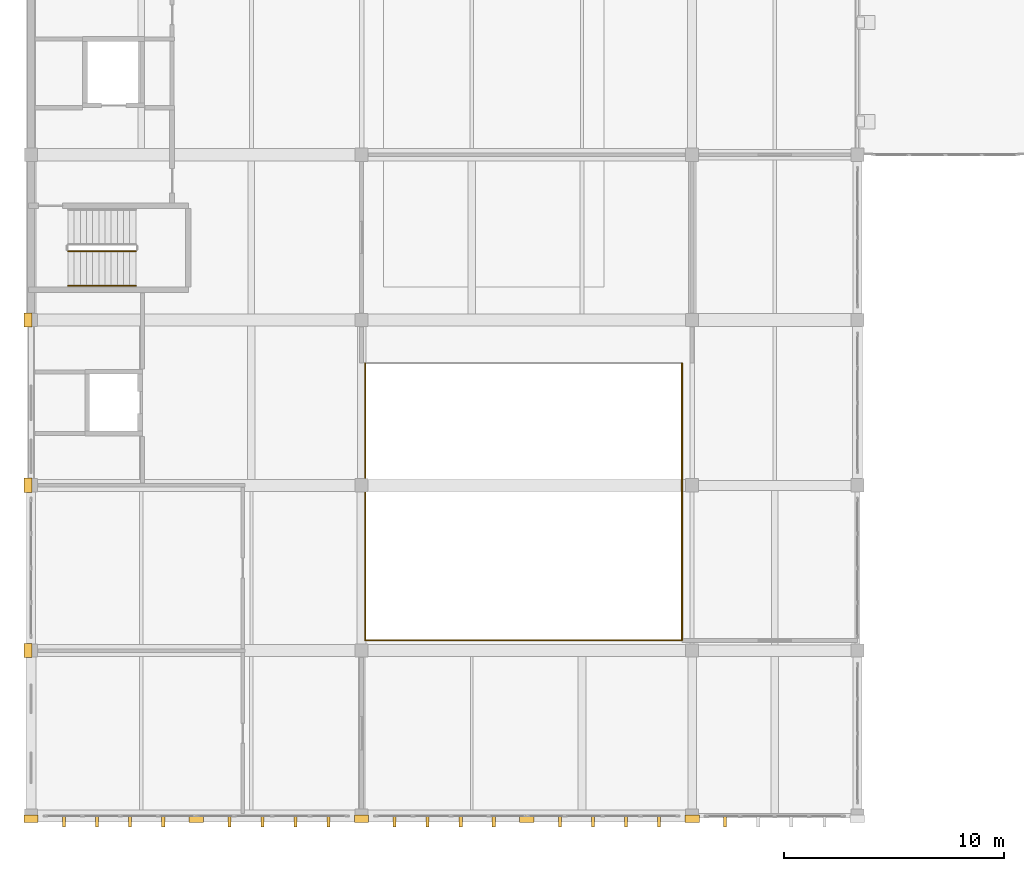
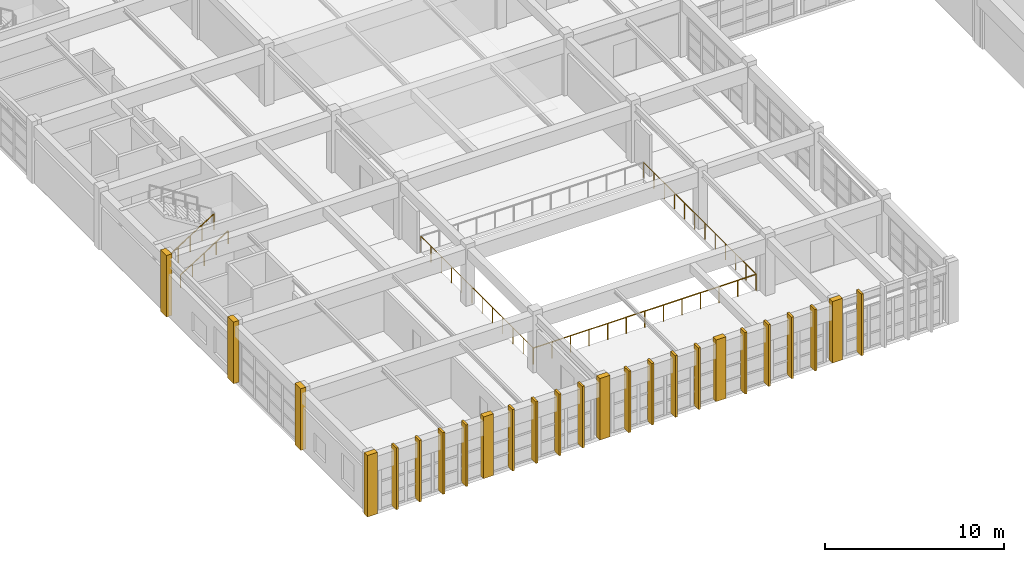
# One storey, part 108 of 124: 25 coverings, 5 railings.
"""IFC4 building model written with IfcOpenShell, lengths in metres."""

import ifcopenshell
import ifcopenshell.guid

model = None  # the IFC model being written
_history = None  # IfcOwnerHistory: only IFC2X3 demands one
_inside = {}  # id of a spatial element -> (the spatial element, [elements in it])
_under = {}  # id of a project, library or spatial element -> (it, [spatial elements below it])
_declared = {}  # id of a project -> (the project, [libraries it declares])
_typed = {}  # id of a type object -> (the type object, [elements of that type])
_made_of = {}  # id of a material, layer set ... -> (it, [elements and type objects made of it])


def new_model(schema):
    """Start an empty IFC model of exactly this schema.

    Asked for "IFC4X3", IfcOpenShell would pick the latest addendum, in which some entities
    have other attributes; the version numbers below select the first issue.
    IFC2X3 requires an IfcOwnerHistory on every rooted entity: one is made here for all.
    """
    global model, _history
    if schema == "IFC4X3":
        model = ifcopenshell.file(schema_version=(4, 3, 0, 0))
    else:
        model = ifcopenshell.file(schema=schema)
    _inside.clear()
    _under.clear()
    _declared.clear()
    _typed.clear()
    _made_of.clear()
    _history = None
    if model.schema == "IFC2X3":
        org = make("IfcOrganization", Name="unknown")
        user = make(
            "IfcPersonAndOrganization",
            ThePerson=make("IfcPerson", FamilyName="unknown"),
            TheOrganization=org,
        )
        app = make(
            "IfcApplication",
            ApplicationDeveloper=org,
            Version="unknown",
            ApplicationFullName="unknown",
            ApplicationIdentifier="unknown",
        )
        _history = make(
            "IfcOwnerHistory",
            OwningUser=user,
            OwningApplication=app,
            ChangeAction="ADDED",
            CreationDate=0,
        )
    return model


def make(cls, **values):
    """One entity of the class cls with the attributes given. An attribute that is None is left unset."""
    return model.create_entity(
        cls, **{name: value for name, value in values.items() if value is not None}
    )


def rooted(cls, **values):
    """An entity with a GlobalId (a new one), such as an element, a storey or a relation."""
    return make(cls, GlobalId=ifcopenshell.guid.new(), OwnerHistory=_history, **values)


def si_unit(unit_type, name, prefix=None):
    """IfcSIUnit, for example si_unit("LENGTHUNIT", "METRE", prefix="MILLI")."""
    return make("IfcSIUnit", UnitType=unit_type, Prefix=prefix, Name=name)


def assignment(units):
    """IfcUnitAssignment: the units of a project."""
    return None if units is None else make("IfcUnitAssignment", Units=units)


def point(xyz):
    """IfcCartesianPoint."""
    return None if xyz is None else make("IfcCartesianPoint", Coordinates=xyz)


def direction(xyz):
    """IfcDirection."""
    return None if xyz is None else make("IfcDirection", DirectionRatios=xyz)


def frame(location, z_axis=None, x_axis=None):
    """IfcAxis2Placement3D, a coordinate frame: its origin and axes. An axis left out is left unset."""
    return make(
        "IfcAxis2Placement3D",
        Location=point(location),
        Axis=direction(z_axis),
        RefDirection=direction(x_axis),
    )


def frame_2d(location, x_axis=None):
    """IfcAxis2Placement2D, a coordinate frame in the plane: its origin and x axis."""
    return make(
        "IfcAxis2Placement2D", Location=point(location), RefDirection=direction(x_axis)
    )


def origin():
    """The frame at (0, 0, 0) with its axes left unset."""
    return frame((0.0, 0.0, 0.0))


def origin_2d():
    """The frame at (0, 0) in the plane with its x axis left unset."""
    return frame_2d((0.0, 0.0))


def place(relative_to, where):
    """IfcLocalPlacement: puts the frame where relative to a parent placement (None: the world)."""
    return make(
        "IfcLocalPlacement", PlacementRelTo=relative_to, RelativePlacement=where
    )


def context(
    kind, dimensions, precision=None, world=None, true_north=None, identifier=None
):
    """IfcGeometricRepresentationContext, for example the 3D "Model" context."""
    return make(
        "IfcGeometricRepresentationContext",
        ContextIdentifier=identifier,
        ContextType=kind,
        CoordinateSpaceDimension=dimensions,
        Precision=precision,
        WorldCoordinateSystem=world,
        TrueNorth=true_north,
    )


def subcontext(parent, identifier, kind, view, scale=None):
    """IfcGeometricRepresentationSubContext, for example "Body" below "Model"."""
    return make(
        "IfcGeometricRepresentationSubContext",
        ContextIdentifier=identifier,
        ContextType=kind,
        ParentContext=parent,
        TargetScale=scale,
        TargetView=view,
    )


def project(units=None, contexts=None):
    """IfcProject with its units and contexts."""
    return rooted(
        "IfcProject",
        Name="project",
        RepresentationContexts=contexts,
        UnitsInContext=assignment(units),
    )


def spatial(cls, under=None, at=None, **own):
    """A site, building, storey or space (cls), placed at a placement, below another one or the project."""
    s = rooted(cls, ObjectPlacement=at, **own)
    if under is not None:
        _under.setdefault(under.id(), (under, []))[1].append(s)
    return s


def profile(cls, at=None, kind="AREA", **sizes):
    """A parametric profile (cls). Its sizes go by their IFC names, for example OverallWidth=200.0."""
    return make(cls, ProfileType=kind, Position=at, **sizes)


def rectangle(**sizes):
    """IfcRectangleProfileDef."""
    return profile("IfcRectangleProfileDef", **sizes)


def circle(**sizes):
    """IfcCircleProfileDef."""
    return profile("IfcCircleProfileDef", **sizes)


def extrude(swept, where, along, depth):
    """IfcExtrudedAreaSolid: the profile swept, set in the frame where, extruded along a direction by depth."""
    return make(
        "IfcExtrudedAreaSolid",
        SweptArea=swept,
        Position=where,
        ExtrudedDirection=direction(along),
        Depth=depth,
    )


def shape(context_of_items, identifier, shape_type, items):
    """IfcShapeRepresentation: the items that make up one representation, for example the "Body"."""
    return make(
        "IfcShapeRepresentation",
        ContextOfItems=context_of_items,
        RepresentationIdentifier=identifier,
        RepresentationType=shape_type,
        Items=items,
    )


def material(Name=None, Category=None):
    """IfcMaterial."""
    return make("IfcMaterial", Name=Name, Category=Category)


def layer(
    of_material, thickness, ventilated=None, Name=None, Category=None, Priority=None
):
    """IfcMaterialLayer: one layer of a wall or slab, of a material (None: an air gap)."""
    return make(
        "IfcMaterialLayer",
        Material=of_material,
        LayerThickness=thickness,
        IsVentilated=ventilated,
        Name=Name,
        Category=Category,
        Priority=Priority,
    )


def layer_set(layers, Name=None):
    """IfcMaterialLayerSet."""
    return make("IfcMaterialLayerSet", MaterialLayers=layers, LayerSetName=Name)


def made_of(thing, what):
    """Note that an element or type object is made of a material, layer set ...; save() writes the relation."""
    if what is not None:
        _made_of.setdefault(what.id(), (what, []))[1].append(thing)
    return thing


def type_object(cls, material=None, **own):
    """A type object (cls), such as IfcWallType, which elements share."""
    return made_of(rooted(cls, **own), material)


def element(
    cls,
    number,
    at=None,
    inside=None,
    cuts=None,
    type_object=None,
    material=None,
    context=None,
    identifier="Body",
    shape_type=None,
    held_by="IfcProductDefinitionShape",
    body=None,
    shapes=None,
    **own,
):
    """One element of the class cls, such as IfcWall. Its Tag is "e" and its number.

    at: its placement. inside: the storey or other place that contains it. cuts: it is an
    opening in that element (IfcRelVoidsElement). A single representation is given by context,
    identifier, shape_type and body (its items); several are given by shapes. held_by: the class
    of the entity that holds the representations. save() writes the other relations.
    """
    e = rooted(cls, Tag="e%d" % number, ObjectPlacement=at, **own)
    if body is not None:
        shapes = [shape(context, identifier, shape_type, body)]
    if shapes is not None:
        e.Representation = make(held_by, Representations=shapes)
    if inside is not None:
        _inside.setdefault(inside.id(), (inside, []))[1].append(e)
    if cuts is not None:
        rooted(
            "IfcRelVoidsElement", RelatingBuildingElement=cuts, RelatedOpeningElement=e
        )
    if type_object is not None:
        _typed.setdefault(type_object.id(), (type_object, []))[1].append(e)
    return made_of(e, material)


def aggregate(whole, parts):
    """IfcRelAggregates: a whole, such as a stair, and the parts it consists of."""
    return rooted("IfcRelAggregates", RelatingObject=whole, RelatedObjects=parts)


def save(model, path):
    """Write the relations noted so far, then the file.

    IfcRelAggregates (storeys below a building ...), IfcRelContainedInSpatialStructure (elements
    in a storey), IfcRelDefinesByType, IfcRelAssociatesMaterial and IfcRelDeclares: one each for
    every whole, place, type object, material and project.
    """
    for whole, parts in _under.values():
        aggregate(whole, parts)
    for where, things in _inside.values():
        rooted(
            "IfcRelContainedInSpatialStructure",
            RelatedElements=things,
            RelatingStructure=where,
        )
    for kind, things in _typed.values():
        rooted("IfcRelDefinesByType", RelatedObjects=things, RelatingType=kind)
    for what, things in _made_of.values():
        rooted("IfcRelAssociatesMaterial", RelatedObjects=things, RelatingMaterial=what)
    for by, libraries in _declared.values():
        rooted("IfcRelDeclares", RelatingContext=by, RelatedDefinitions=libraries)
    model.write(path)


model = new_model("IFC4")

# Units and contexts
model_context = context("Model", 3, precision=1e-05, world=origin(), true_north=direction((0.0, 1.0)))
body_context = subcontext(model_context, "Body", "Model", "MODEL_VIEW")
ifc_project = project(units=[si_unit("LENGTHUNIT", "METRE"), si_unit("AREAUNIT", "SQUARE_METRE"), si_unit("VOLUMEUNIT", "CUBIC_METRE"), si_unit("PLANEANGLEUNIT", "RADIAN"), si_unit("MASSUNIT", "GRAM", prefix="KILO")], contexts=[model_context])

# Site, building, storey
site_placement = place(None, origin())
site = spatial("IfcSite", under=ifc_project, at=site_placement, CompositionType="ELEMENT")
building_placement = place(site_placement, origin())
building = spatial("IfcBuilding", under=site, at=building_placement, Name="Qasida Concert Hall", CompositionType="ELEMENT")
storey_placement = place(building_placement, frame((0.0, 0.0, 9.0)))
storey = spatial("IfcBuildingStorey", under=building, at=storey_placement, Name="L02", CompositionType="ELEMENT", Elevation=9.0)

# Coverings
ifc_material_1 = material(Name="Fluted ochre Lebanese limestone and patinated bronze fin", Category="masonry")
ifc_layer_1 = layer(ifc_material_1, 0.52001953125, Name="Fluted ochre Lebanese limestone and patinated bronze fin")
ifc_layer_set_1 = layer_set([ifc_layer_1], Name="Fluted ochre Lebanese limestone and patinated bronze fin")
covering_type_1 = type_object("IfcCoveringType", Name="CV-FIN-520", PredefinedType="CLADDING", material=ifc_layer_set_1)
for number, where, z_axis, x_axis, name in (
    (1, (1.5, -0.239990234375, 0.0), (0.0, 0.0, 1.0), (1.0, 0.0, 0.0), "L02 foyer fluted solar fin FN3-070"),
    (2, (3.0, -0.239990234375, 0.0), (0.0, 0.0, 1.0), (1.0, 0.0, 0.0), "L02 foyer fluted solar fin FN3-071"),
    (3, (4.5, -0.239990234375, 0.0), (0.0, 0.0, 1.0), (1.0, 0.0, 0.0), "L02 foyer fluted solar fin FN3-072"),
    (4, (6.0, -0.239990234375, 0.0), (0.0, 0.0, 1.0), (1.0, 0.0, 0.0), "L02 foyer fluted solar fin FN3-073"),
    (5, (9.0, -0.239990234375, 0.0), (0.0, 0.0, 1.0), (1.0, 0.0, 0.0), "L02 foyer fluted solar fin FN3-074"),
    (6, (10.5, -0.239990234375, 0.0), (0.0, 0.0, 1.0), (1.0, 0.0, 0.0), "L02 foyer fluted solar fin FN3-075"),
    (7, (12.0, -0.239990234375, 0.0), (0.0, 0.0, 1.0), (1.0, 0.0, 0.0), "L02 foyer fluted solar fin FN3-076"),
    (8, (13.5, -0.239990234375, 0.0), (0.0, 0.0, 1.0), (1.0, 0.0, 0.0), "L02 foyer fluted solar fin FN3-077"),
    (9, (16.5, -0.239990234375, 0.0), (0.0, 0.0, 1.0), (1.0, 0.0, 0.0), "L02 foyer fluted solar fin FN3-078"),
    (10, (18.0, -0.239990234375, 0.0), (0.0, 0.0, 1.0), (1.0, 0.0, 0.0), "L02 foyer fluted solar fin FN3-079"),
    (11, (19.5, -0.239990234375, 0.0), (0.0, 0.0, 1.0), (1.0, 0.0, 0.0), "L02 foyer fluted solar fin FN3-080"),
    (12, (21.0, -0.239990234375, 0.0), (0.0, 0.0, 1.0), (1.0, 0.0, 0.0), "L02 foyer fluted solar fin FN3-081"),
    (13, (24.0, -0.239990234375, 0.0), (0.0, 0.0, 1.0), (1.0, 0.0, 0.0), "L02 foyer fluted solar fin FN3-082"),
    (14, (25.5, -0.239990234375, 0.0), (0.0, 0.0, 1.0), (1.0, 0.0, 0.0), "L02 foyer fluted solar fin FN3-083"),
    (15, (27.0, -0.239990234375, 0.0), (0.0, 0.0, 1.0), (1.0, 0.0, 0.0), "L02 foyer fluted solar fin FN3-084"),
    (16, (28.5, -0.239990234375, 0.0), (0.0, 0.0, 1.0), (1.0, 0.0, 0.0), "L02 foyer fluted solar fin FN3-085"),
    (17, (31.5, -0.239990234375, 0.0), (0.0, 0.0, 1.0), (1.0, 0.0, 0.0), "L02 foyer fluted solar fin FN3-086"),
):
    element("IfcCovering", number, at=place(storey_placement, frame(where, z_axis=z_axis, x_axis=x_axis)), inside=storey, type_object=covering_type_1, Name=name, PredefinedType="CLADDING", context=body_context, shape_type="SweptSolid", body=[
        extrude(rectangle(XDim=0.139892578125, YDim=0.52001953125, at=origin_2d()), origin(), (0.0, 0.0, 1.0), 4.199951171875),
    ])
ifc_material_2 = material(Name="Projecting fluted Lebanese limestone Art Deco pilaster", Category="masonry")
ifc_layer_2 = layer(ifc_material_2, 0.35009765625, Name="Projecting fluted Lebanese limestone Art Deco pilaster")
ifc_layer_set_2 = layer_set([ifc_layer_2], Name="Projecting fluted Lebanese limestone Art Deco pilaster")
covering_type_2 = type_object("IfcCoveringType", Name="CV-PIL-650", PredefinedType="CLADDING", material=ifc_layer_set_2)
for number, where, z_axis, x_axis, name in (
    (18, (0.0, -0.135009765625, 0.0), (0.0, 0.0, 1.0), (1.0, 0.0, 0.0), "L02 fluted limestone pilaster 0143"),
    (19, (7.5, -0.135009765625, 0.0), (0.0, 0.0, 1.0), (1.0, 0.0, 0.0), "L02 fluted limestone pilaster 0147"),
    (20, (15.0, -0.135009765625, 0.0), (0.0, 0.0, 1.0), (1.0, 0.0, 0.0), "L02 fluted limestone pilaster 0151"),
    (21, (22.5, -0.135009765625, 0.0), (0.0, 0.0, 1.0), (1.0, 0.0, 0.0), "L02 fluted limestone pilaster 0155"),
    (22, (30.0, -0.135009765625, 0.0), (0.0, 0.0, 1.0), (1.0, 0.0, 0.0), "L02 fluted limestone pilaster 0159"),
):
    element("IfcCovering", number, at=place(storey_placement, frame(where, z_axis=z_axis, x_axis=x_axis)), inside=storey, type_object=covering_type_2, Name=name, PredefinedType="CLADDING", context=body_context, shape_type="SweptSolid", body=[
        extrude(rectangle(XDim=0.64990234375, YDim=0.35009765625, at=origin_2d()), origin(), (0.0, 0.0, 1.0), 4.199951171875),
    ])
for number, where, z_axis, x_axis, name in (
    (23, (-0.135009765625, 7.5, 0.0), (0.0, 0.0, 1.0), (1.0, 0.0, 0.0), "L02 fluted limestone pilaster 0167"),
    (24, (-0.135009765625, 15.0, 0.0), (0.0, 0.0, 1.0), (1.0, 0.0, 0.0), "L02 fluted limestone pilaster 0171"),
    (25, (-0.135009765625, 22.5, 0.0), (0.0, 0.0, 1.0), (1.0, 0.0, 0.0), "L02 fluted limestone pilaster 0175"),
):
    element("IfcCovering", number, at=place(storey_placement, frame(where, z_axis=z_axis, x_axis=x_axis)), inside=storey, type_object=covering_type_2, Name=name, PredefinedType="CLADDING", context=body_context, shape_type="SweptSolid", body=[
        extrude(rectangle(XDim=0.35009765625, YDim=0.64990234375, at=origin_2d()), origin(), (0.0, 0.0, 1.0), 4.199951171875),
    ])

# Railings
ifc_material_3 = material(Name="Carved Lebanese limestone and bronze top rail", Category="masonry")
ifc_layer_3 = layer(ifc_material_3, 0.10009765625, Name="Carved Lebanese limestone and bronze top rail")
ifc_layer_set_3 = layer_set([ifc_layer_3], Name="Carved Lebanese limestone and bronze top rail")
railing_type_1 = type_object("IfcRailingType", Name="RL-BAL-1100", PredefinedType="BALUSTRADE", material=ifc_layer_set_3)
railing_1_placement = place(storey_placement, frame((15.159912109375, 7.9599609375, 0.0)))
element("IfcRailing", 26, at=railing_1_placement, inside=storey, type_object=railing_type_1, Name="L02 Grand foyer atrium balustrade 0046", PredefinedType="BALUSTRADE", context=body_context, shape_type="SweptSolid", body=[
    extrude(circle(Radius=0.02392578125, at=origin_2d()), frame((0.0, 0.0, 1.09619140625), z_axis=(1.0, 0.0, 0.0), x_axis=(0.0, 1.0, 0.0)), (0.0, 0.0, 1.0), 14.380126953125),
    extrude(circle(Radius=0.02099609375, at=origin_2d()), origin(), (0.0, 0.0, 1.0), 1.072021484375),
    extrude(circle(Radius=0.02099609375, at=origin_2d()), frame((1.1982421875, 0.0, 0.0)), (0.0, 0.0, 1.0), 1.072021484375),
    extrude(circle(Radius=0.02099609375, at=origin_2d()), frame((2.396728515625, 0.0, 0.0)), (0.0, 0.0, 1.0), 1.072021484375),
    extrude(circle(Radius=0.02099609375, at=origin_2d()), frame((3.594970703125, 0.0, 0.0)), (0.0, 0.0, 1.0), 1.072021484375),
    extrude(circle(Radius=0.02099609375, at=origin_2d()), frame((4.79345703125, 0.0, 0.0)), (0.0, 0.0, 1.0), 1.072021484375),
    extrude(circle(Radius=0.02099609375, at=origin_2d()), frame((5.99169921875, 0.0, 0.0)), (0.0, 0.0, 1.0), 1.072021484375),
    extrude(circle(Radius=0.02099609375, at=origin_2d()), frame((7.18994140625, 0.0, 0.0)), (0.0, 0.0, 1.0), 1.072021484375),
    extrude(circle(Radius=0.02099609375, at=origin_2d()), frame((8.388427734375, 0.0, 0.0)), (0.0, 0.0, 1.0), 1.072021484375),
    extrude(circle(Radius=0.02099609375, at=origin_2d()), frame((9.586669921875, 0.0, 0.0)), (0.0, 0.0, 1.0), 1.072021484375),
    extrude(circle(Radius=0.02099609375, at=origin_2d()), frame((10.78515625, 0.0, 0.0)), (0.0, 0.0, 1.0), 1.072021484375),
    extrude(circle(Radius=0.02099609375, at=origin_2d()), frame((11.9833984375, 0.0, 0.0)), (0.0, 0.0, 1.0), 1.072021484375),
    extrude(circle(Radius=0.02099609375, at=origin_2d()), frame((13.181884765625, 0.0, 0.0)), (0.0, 0.0, 1.0), 1.072021484375),
    extrude(circle(Radius=0.02099609375, at=origin_2d()), frame((14.380126953125, 0.0, 0.0)), (0.0, 0.0, 1.0), 1.072021484375),
])
railing_2_placement = place(storey_placement, frame((29.5400390625, 7.9599609375, 0.0)))
element("IfcRailing", 27, at=railing_2_placement, inside=storey, type_object=railing_type_1, Name="L02 Grand foyer atrium balustrade 0047", PredefinedType="BALUSTRADE", context=body_context, shape_type="SweptSolid", body=[
    extrude(circle(Radius=0.02392578125, at=origin_2d()), frame((0.0, 0.0, 1.09619140625), z_axis=(0.0, 1.0, 0.0), x_axis=(-1.0, 0.0, 0.0)), (0.0, 0.0, 1.0), 12.580078125),
    extrude(circle(Radius=0.02099609375, at=origin_2d()), origin(), (0.0, 0.0, 1.0), 1.072021484375),
    extrude(circle(Radius=0.02099609375, at=origin_2d()), frame((0.0, 1.1435546875, 0.0)), (0.0, 0.0, 1.0), 1.072021484375),
    extrude(circle(Radius=0.02099609375, at=origin_2d()), frame((0.0, 2.287353515625, 0.0)), (0.0, 0.0, 1.0), 1.072021484375),
    extrude(circle(Radius=0.02099609375, at=origin_2d()), frame((0.0, 3.430908203125, 0.0)), (0.0, 0.0, 1.0), 1.072021484375),
    extrude(circle(Radius=0.02099609375, at=origin_2d()), frame((0.0, 4.574462890625, 0.0)), (0.0, 0.0, 1.0), 1.072021484375),
    extrude(circle(Radius=0.02099609375, at=origin_2d()), frame((0.0, 5.71826171875, 0.0)), (0.0, 0.0, 1.0), 1.072021484375),
    extrude(circle(Radius=0.02099609375, at=origin_2d()), frame((0.0, 6.86181640625, 0.0)), (0.0, 0.0, 1.0), 1.072021484375),
    extrude(circle(Radius=0.02099609375, at=origin_2d()), frame((0.0, 8.005615234375, 0.0)), (0.0, 0.0, 1.0), 1.072021484375),
    extrude(circle(Radius=0.02099609375, at=origin_2d()), frame((0.0, 9.149169921875, 0.0)), (0.0, 0.0, 1.0), 1.072021484375),
    extrude(circle(Radius=0.02099609375, at=origin_2d()), frame((0.0, 10.292724609375, 0.0)), (0.0, 0.0, 1.0), 1.072021484375),
    extrude(circle(Radius=0.02099609375, at=origin_2d()), frame((0.0, 11.4365234375, 0.0)), (0.0, 0.0, 1.0), 1.072021484375),
    extrude(circle(Radius=0.02099609375, at=origin_2d()), frame((0.0, 12.580078125, 0.0)), (0.0, 0.0, 1.0), 1.072021484375),
])
railing_3_placement = place(storey_placement, frame((15.159912109375, 20.5400390625, 0.0)))
element("IfcRailing", 28, at=railing_3_placement, inside=storey, type_object=railing_type_1, Name="L02 Grand foyer atrium balustrade 0049", PredefinedType="BALUSTRADE", context=body_context, shape_type="SweptSolid", body=[
    extrude(circle(Radius=0.02392578125, at=origin_2d()), frame((0.0, 0.0, 1.09619140625), z_axis=(0.0, -1.0, 0.0), x_axis=(1.0, 0.0, 0.0)), (0.0, 0.0, 1.0), 12.580078125),
    extrude(circle(Radius=0.02099609375, at=origin_2d()), origin(), (0.0, 0.0, 1.0), 1.072021484375),
    extrude(circle(Radius=0.02099609375, at=origin_2d()), frame((0.0, -1.1435546875, 0.0)), (0.0, 0.0, 1.0), 1.072021484375),
    extrude(circle(Radius=0.02099609375, at=origin_2d()), frame((0.0, -2.287353515625, 0.0)), (0.0, 0.0, 1.0), 1.072021484375),
    extrude(circle(Radius=0.02099609375, at=origin_2d()), frame((0.0, -3.430908203125, 0.0)), (0.0, 0.0, 1.0), 1.072021484375),
    extrude(circle(Radius=0.02099609375, at=origin_2d()), frame((0.0, -4.574462890625, 0.0)), (0.0, 0.0, 1.0), 1.072021484375),
    extrude(circle(Radius=0.02099609375, at=origin_2d()), frame((0.0, -5.71826171875, 0.0)), (0.0, 0.0, 1.0), 1.072021484375),
    extrude(circle(Radius=0.02099609375, at=origin_2d()), frame((0.0, -6.86181640625, 0.0)), (0.0, 0.0, 1.0), 1.072021484375),
    extrude(circle(Radius=0.02099609375, at=origin_2d()), frame((0.0, -8.005615234375, 0.0)), (0.0, 0.0, 1.0), 1.072021484375),
    extrude(circle(Radius=0.02099609375, at=origin_2d()), frame((0.0, -9.149169921875, 0.0)), (0.0, 0.0, 1.0), 1.072021484375),
    extrude(circle(Radius=0.02099609375, at=origin_2d()), frame((0.0, -10.292724609375, 0.0)), (0.0, 0.0, 1.0), 1.072021484375),
    extrude(circle(Radius=0.02099609375, at=origin_2d()), frame((0.0, -11.4365234375, 0.0)), (0.0, 0.0, 1.0), 1.072021484375),
    extrude(circle(Radius=0.02099609375, at=origin_2d()), frame((0.0, -12.580078125, 0.0)), (0.0, 0.0, 1.0), 1.072021484375),
])
ifc_material_4 = material(Name="Patinated architectural bronze and laminated glass infill", Category="glass")
ifc_layer_4 = layer(ifc_material_4, 0.080078125, Name="Patinated architectural bronze and laminated glass infill")
ifc_layer_set_4 = layer_set([ifc_layer_4], Name="Patinated architectural bronze and laminated glass infill")
railing_type_2 = type_object("IfcRailingType", Name="RL-GRD-1100", PredefinedType="GUARDRAIL", material=ifc_layer_set_4)
railing_4_placement = place(storey_placement, frame((1.679931640625, 25.6298828125, 0.175048828125)))
element("IfcRailing", 29, at=railing_4_placement, inside=storey, type_object=railing_type_2, Name="L02 ST-03 stair guard 1", PredefinedType="GUARDRAIL", context=body_context, shape_type="SweptSolid", body=[
    extrude(circle(Radius=0.02392578125, at=origin_2d()), frame((0.0, 0.0, 1.076171875), z_axis=(0.847998304005, 0.0, 0.529998940003), x_axis=(0.0, 1.0, 0.0)), (0.0, 0.0, 1.0), 3.632080078125),
    extrude(circle(Radius=0.02099609375, at=origin_2d()), origin(), (0.0, 0.0, 1.0), 1.052001953125),
    extrude(circle(Radius=0.02099609375, at=origin_2d()), frame((0.77001953125, 0.0, 0.481201171875)), (0.0, 0.0, 1.0), 1.052001953125),
    extrude(circle(Radius=0.02099609375, at=origin_2d()), frame((1.5400390625, 0.0, 0.96240234375)), (0.0, 0.0, 1.0), 1.052001953125),
    extrude(circle(Radius=0.02099609375, at=origin_2d()), frame((2.31005859375, 0.0, 1.44384765625)), (0.0, 0.0, 1.0), 1.052001953125),
    extrude(circle(Radius=0.02099609375, at=origin_2d()), frame((3.080078125, 0.0, 1.925048828125)), (0.0, 0.0, 1.0), 1.052001953125),
])
ifc_material_5 = material(Name="Patinated tubular architectural bronze", Category="steel")
ifc_layer_5 = layer(ifc_material_5, 0.050048828125, Name="Patinated tubular architectural bronze")
ifc_layer_set_5 = layer_set([ifc_layer_5], Name="Patinated tubular architectural bronze")
railing_type_3 = type_object("IfcRailingType", Name="RL-HND-900", PredefinedType="HANDRAIL", material=ifc_layer_set_5)
railing_5_placement = place(storey_placement, frame((1.679931640625, 24.050048828125, 0.175048828125)))
element("IfcRailing", 30, at=railing_5_placement, inside=storey, type_object=railing_type_3, Name="L02 ST-03 stair handrail 1", PredefinedType="HANDRAIL", context=body_context, shape_type="SweptSolid", body=[
    extrude(circle(Radius=0.02392578125, at=origin_2d()), frame((0.0, 0.0, 0.8759765625), z_axis=(0.847998304005, 0.0, 0.529998940003), x_axis=(0.0, 1.0, 0.0)), (0.0, 0.0, 1.0), 3.632080078125),
    extrude(circle(Radius=0.02099609375, at=origin_2d()), origin(), (0.0, 0.0, 1.0), 0.851806640625),
    extrude(circle(Radius=0.02099609375, at=origin_2d()), frame((0.77001953125, 0.0, 0.481201171875)), (0.0, 0.0, 1.0), 0.851806640625),
    extrude(circle(Radius=0.02099609375, at=origin_2d()), frame((1.5400390625, 0.0, 0.96240234375)), (0.0, 0.0, 1.0), 0.851806640625),
    extrude(circle(Radius=0.02099609375, at=origin_2d()), frame((2.31005859375, 0.0, 1.44384765625)), (0.0, 0.0, 1.0), 0.851806640625),
    extrude(circle(Radius=0.02099609375, at=origin_2d()), frame((3.080078125, 0.0, 1.925048828125)), (0.0, 0.0, 1.0), 0.851806640625),
])

save(model, "model.ifc")
